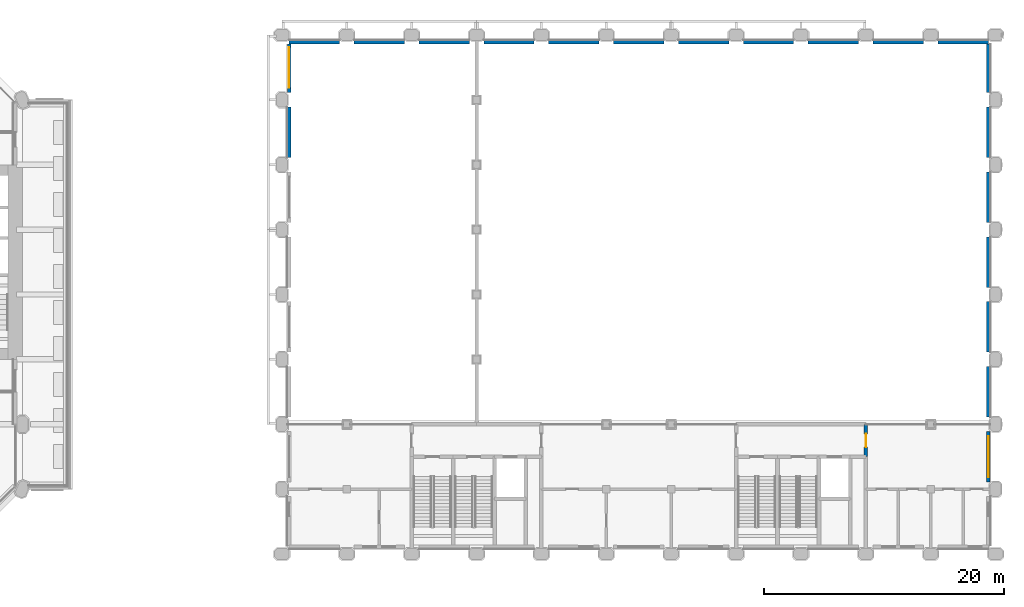
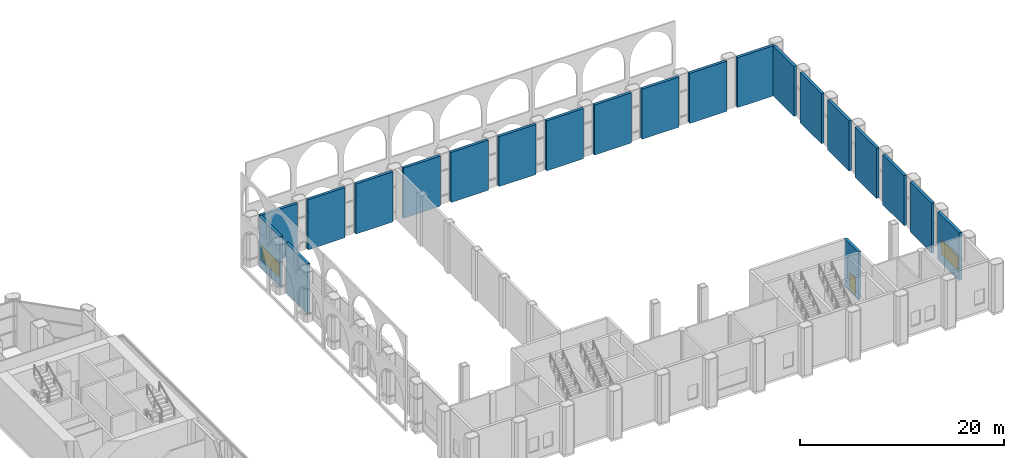
# One storey, part 17 of 34: 21 walls, 2 windows, 1 door, 3 openings.
"""IFC4 building model written with IfcOpenShell, lengths in metres."""

import ifcopenshell
import ifcopenshell.guid

model = None  # the IFC model being written
_history = None  # IfcOwnerHistory: only IFC2X3 demands one
_inside = {}  # id of a spatial element -> (the spatial element, [elements in it])
_under = {}  # id of a project, library or spatial element -> (it, [spatial elements below it])
_declared = {}  # id of a project -> (the project, [libraries it declares])
_typed = {}  # id of a type object -> (the type object, [elements of that type])
_made_of = {}  # id of a material, layer set ... -> (it, [elements and type objects made of it])


def new_model(schema):
    """Start an empty IFC model of exactly this schema.

    Asked for "IFC4X3", IfcOpenShell would pick the latest addendum, in which some entities
    have other attributes; the version numbers below select the first issue.
    IFC2X3 requires an IfcOwnerHistory on every rooted entity: one is made here for all.
    """
    global model, _history
    if schema == "IFC4X3":
        model = ifcopenshell.file(schema_version=(4, 3, 0, 0))
    else:
        model = ifcopenshell.file(schema=schema)
    _inside.clear()
    _under.clear()
    _declared.clear()
    _typed.clear()
    _made_of.clear()
    _history = None
    if model.schema == "IFC2X3":
        org = make("IfcOrganization", Name="unknown")
        user = make(
            "IfcPersonAndOrganization",
            ThePerson=make("IfcPerson", FamilyName="unknown"),
            TheOrganization=org,
        )
        app = make(
            "IfcApplication",
            ApplicationDeveloper=org,
            Version="unknown",
            ApplicationFullName="unknown",
            ApplicationIdentifier="unknown",
        )
        _history = make(
            "IfcOwnerHistory",
            OwningUser=user,
            OwningApplication=app,
            ChangeAction="ADDED",
            CreationDate=0,
        )
    return model


def make(cls, **values):
    """One entity of the class cls with the attributes given. An attribute that is None is left unset."""
    return model.create_entity(
        cls, **{name: value for name, value in values.items() if value is not None}
    )


def rooted(cls, **values):
    """An entity with a GlobalId (a new one), such as an element, a storey or a relation."""
    return make(cls, GlobalId=ifcopenshell.guid.new(), OwnerHistory=_history, **values)


def si_unit(unit_type, name, prefix=None):
    """IfcSIUnit, for example si_unit("LENGTHUNIT", "METRE", prefix="MILLI")."""
    return make("IfcSIUnit", UnitType=unit_type, Prefix=prefix, Name=name)


def assignment(units):
    """IfcUnitAssignment: the units of a project."""
    return None if units is None else make("IfcUnitAssignment", Units=units)


def point(xyz):
    """IfcCartesianPoint."""
    return None if xyz is None else make("IfcCartesianPoint", Coordinates=xyz)


def direction(xyz):
    """IfcDirection."""
    return None if xyz is None else make("IfcDirection", DirectionRatios=xyz)


def frame(location, z_axis=None, x_axis=None):
    """IfcAxis2Placement3D, a coordinate frame: its origin and axes. An axis left out is left unset."""
    return make(
        "IfcAxis2Placement3D",
        Location=point(location),
        Axis=direction(z_axis),
        RefDirection=direction(x_axis),
    )


def frame_2d(location, x_axis=None):
    """IfcAxis2Placement2D, a coordinate frame in the plane: its origin and x axis."""
    return make(
        "IfcAxis2Placement2D", Location=point(location), RefDirection=direction(x_axis)
    )


def origin():
    """The frame at (0, 0, 0) with its axes left unset."""
    return frame((0.0, 0.0, 0.0))


def place(relative_to, where):
    """IfcLocalPlacement: puts the frame where relative to a parent placement (None: the world)."""
    return make(
        "IfcLocalPlacement", PlacementRelTo=relative_to, RelativePlacement=where
    )


def context(
    kind, dimensions, precision=None, world=None, true_north=None, identifier=None
):
    """IfcGeometricRepresentationContext, for example the 3D "Model" context."""
    return make(
        "IfcGeometricRepresentationContext",
        ContextIdentifier=identifier,
        ContextType=kind,
        CoordinateSpaceDimension=dimensions,
        Precision=precision,
        WorldCoordinateSystem=world,
        TrueNorth=true_north,
    )


def subcontext(parent, identifier, kind, view, scale=None):
    """IfcGeometricRepresentationSubContext, for example "Body" below "Model"."""
    return make(
        "IfcGeometricRepresentationSubContext",
        ContextIdentifier=identifier,
        ContextType=kind,
        ParentContext=parent,
        TargetScale=scale,
        TargetView=view,
    )


def project(units=None, contexts=None):
    """IfcProject with its units and contexts."""
    return rooted(
        "IfcProject",
        Name="project",
        RepresentationContexts=contexts,
        UnitsInContext=assignment(units),
    )


def spatial(cls, under=None, at=None, **own):
    """A site, building, storey or space (cls), placed at a placement, below another one or the project."""
    s = rooted(cls, ObjectPlacement=at, **own)
    if under is not None:
        _under.setdefault(under.id(), (under, []))[1].append(s)
    return s


def profile(cls, at=None, kind="AREA", **sizes):
    """A parametric profile (cls). Its sizes go by their IFC names, for example OverallWidth=200.0."""
    return make(cls, ProfileType=kind, Position=at, **sizes)


def rectangle(**sizes):
    """IfcRectangleProfileDef."""
    return profile("IfcRectangleProfileDef", **sizes)


def extrude(swept, where, along, depth):
    """IfcExtrudedAreaSolid: the profile swept, set in the frame where, extruded along a direction by depth."""
    return make(
        "IfcExtrudedAreaSolid",
        SweptArea=swept,
        Position=where,
        ExtrudedDirection=direction(along),
        Depth=depth,
    )


def shape(context_of_items, identifier, shape_type, items):
    """IfcShapeRepresentation: the items that make up one representation, for example the "Body"."""
    return make(
        "IfcShapeRepresentation",
        ContextOfItems=context_of_items,
        RepresentationIdentifier=identifier,
        RepresentationType=shape_type,
        Items=items,
    )


def material(Name=None, Category=None):
    """IfcMaterial."""
    return make("IfcMaterial", Name=Name, Category=Category)


def layer(
    of_material, thickness, ventilated=None, Name=None, Category=None, Priority=None
):
    """IfcMaterialLayer: one layer of a wall or slab, of a material (None: an air gap)."""
    return make(
        "IfcMaterialLayer",
        Material=of_material,
        LayerThickness=thickness,
        IsVentilated=ventilated,
        Name=Name,
        Category=Category,
        Priority=Priority,
    )


def layer_set(layers, Name=None):
    """IfcMaterialLayerSet."""
    return make("IfcMaterialLayerSet", MaterialLayers=layers, LayerSetName=Name)


def made_of(thing, what):
    """Note that an element or type object is made of a material, layer set ...; save() writes the relation."""
    if what is not None:
        _made_of.setdefault(what.id(), (what, []))[1].append(thing)
    return thing


def type_object(cls, material=None, **own):
    """A type object (cls), such as IfcWallType, which elements share."""
    return made_of(rooted(cls, **own), material)


def element(
    cls,
    number,
    at=None,
    inside=None,
    cuts=None,
    type_object=None,
    material=None,
    context=None,
    identifier="Body",
    shape_type=None,
    held_by="IfcProductDefinitionShape",
    body=None,
    shapes=None,
    **own,
):
    """One element of the class cls, such as IfcWall. Its Tag is "e" and its number.

    at: its placement. inside: the storey or other place that contains it. cuts: it is an
    opening in that element (IfcRelVoidsElement). A single representation is given by context,
    identifier, shape_type and body (its items); several are given by shapes. held_by: the class
    of the entity that holds the representations. save() writes the other relations.
    """
    e = rooted(cls, Tag="e%d" % number, ObjectPlacement=at, **own)
    if body is not None:
        shapes = [shape(context, identifier, shape_type, body)]
    if shapes is not None:
        e.Representation = make(held_by, Representations=shapes)
    if inside is not None:
        _inside.setdefault(inside.id(), (inside, []))[1].append(e)
    if cuts is not None:
        rooted(
            "IfcRelVoidsElement", RelatingBuildingElement=cuts, RelatedOpeningElement=e
        )
    if type_object is not None:
        _typed.setdefault(type_object.id(), (type_object, []))[1].append(e)
    return made_of(e, material)


def fill(opening, filler):
    """IfcRelFillsElement: the door or window that sits in an opening."""
    return rooted(
        "IfcRelFillsElement",
        RelatingOpeningElement=opening,
        RelatedBuildingElement=filler,
    )


def aggregate(whole, parts):
    """IfcRelAggregates: a whole, such as a stair, and the parts it consists of."""
    return rooted("IfcRelAggregates", RelatingObject=whole, RelatedObjects=parts)


def save(model, path):
    """Write the relations noted so far, then the file.

    IfcRelAggregates (storeys below a building ...), IfcRelContainedInSpatialStructure (elements
    in a storey), IfcRelDefinesByType, IfcRelAssociatesMaterial and IfcRelDeclares: one each for
    every whole, place, type object, material and project.
    """
    for whole, parts in _under.values():
        aggregate(whole, parts)
    for where, things in _inside.values():
        rooted(
            "IfcRelContainedInSpatialStructure",
            RelatedElements=things,
            RelatingStructure=where,
        )
    for kind, things in _typed.values():
        rooted("IfcRelDefinesByType", RelatedObjects=things, RelatingType=kind)
    for what, things in _made_of.values():
        rooted("IfcRelAssociatesMaterial", RelatedObjects=things, RelatingMaterial=what)
    for by, libraries in _declared.values():
        rooted("IfcRelDeclares", RelatingContext=by, RelatedDefinitions=libraries)
    model.write(path)


model = new_model("IFC4")

# Units and contexts
model_context = context("Model", 3, precision=1e-05, world=origin(), true_north=direction((0.0, 1.0)))
body_context = subcontext(model_context, "Body", "Model", "MODEL_VIEW")
ifc_project = project(units=[si_unit("LENGTHUNIT", "METRE"), si_unit("AREAUNIT", "SQUARE_METRE"), si_unit("VOLUMEUNIT", "CUBIC_METRE"), si_unit("PLANEANGLEUNIT", "RADIAN"), si_unit("MASSUNIT", "GRAM", prefix="KILO")], contexts=[model_context])

# Site, building, storey
site_placement = place(None, origin())
site = spatial("IfcSite", under=ifc_project, at=site_placement, CompositionType="ELEMENT")
building_placement = place(site_placement, origin())
building = spatial("IfcBuilding", under=site, at=building_placement, Name="Tabaq Tower and Sports Hall", CompositionType="ELEMENT")
storey_placement = place(building_placement, frame((0.0, 0.0, 8.39990234375)))
storey = spatial("IfcBuildingStorey", under=building, at=storey_placement, Name="L01", CompositionType="ELEMENT", Elevation=8.39990234375)

# Wall, opening, door
ifc_material_1 = material(Name="Concrete C50/60", Category="concrete")
ifc_layer_1 = layer(ifc_material_1, 0.300048828125)
ifc_layer_set_1 = layer_set([ifc_layer_1], Name="HALL CORE WALL RC 300 C50/60")
wall_type_1 = type_object("IfcWallType", Name="HALL CORE WALL RC 300 C50/60", PredefinedType="SHEAR", material=ifc_layer_set_1)
wall_1_placement = place(storey_placement, frame((113.39990234375, 8.10009765625, 0.0), z_axis=(0.0, 0.0, 1.0), x_axis=(0.0, 1.0, 0.0)))
wall_1 = element("IfcWall", 1, at=wall_1_placement, inside=storey, type_object=wall_type_1, Name="L01 core wall 018", PredefinedType="SHEAR", context=body_context, shape_type="SweptSolid", body=[
    extrude(rectangle(XDim=2.699951171875, YDim=0.300048828125, at=frame_2d((1.35009765625, 0.0))), origin(), (0.0, 0.0, 1.0), 5.7001953125),
])
opening_1_placement = place(wall_1_placement, frame((0.800048828125, 0.0, 0.0)))
opening_1 = element("IfcOpeningElement", 2, at=opening_1_placement, cuts=wall_1, Name="Opening HD041", PredefinedType="OPENING", context=body_context, shape_type="SweptSolid", body=[
    extrude(rectangle(XDim=1.10009765625, YDim=2.10009765625, at=frame_2d((0.550048828125, 1.050048828125))), frame((0.0, 0.14990234375, 0.0), z_axis=(0.0, -1.0, 0.0), x_axis=(1.0, 0.0, 0.0)), (0.0, 0.0, 1.0), 0.300048828125),
])
ifc_material_2 = material(Name="Steel fire door leaf in steel frame", Category="steel")
door_type = type_object("IfcDoorType", Name="HALL FIRE DOOR 1100x2100", OperationType="SINGLE_SWING_LEFT", PredefinedType="DOOR", material=ifc_material_2)
door_placement = place(opening_1_placement, origin())
door = element("IfcDoor", 3, at=door_placement, inside=storey, type_object=door_type, Name="Door HD041", OperationType="SINGLE_SWING_LEFT", OverallHeight=2.10009765625, OverallWidth=1.10009765625, PredefinedType="DOOR", context=body_context, shape_type="SweptSolid", body=[
    extrude(rectangle(XDim=1.10009765625, YDim=2.10009765625, at=frame_2d((0.550048828125, 1.050048828125))), frame((0.0, 0.02490234375, 0.0), z_axis=(0.0, -1.0, 0.0), x_axis=(1.0, 0.0, 0.0)), (0.0, 0.0, 1.0), 0.050048828125),
])
fill(opening_1, door)

# Walls
ifc_material_3 = material(Name="White precast concrete C60/75", Category="concrete")
ifc_layer_2 = layer(ifc_material_3, 0.300048828125)
ifc_layer_set_2 = layer_set([ifc_layer_2], Name="White precast concrete C60/75 external wall 300")
wall_type_2 = type_object("IfcWallType", Name="White precast concrete C60/75 external wall 300", PredefinedType="SOLIDWALL", material=ifc_layer_set_2)
wall_2_placement = place(storey_placement, frame((65.39990234375, 42.60009765625, 0.0), z_axis=(0.0, 0.0, 1.0), x_axis=(1.0, 0.0, 0.0)))
element("IfcWall", 4, at=wall_2_placement, inside=storey, type_object=wall_type_2, Name="L01 N facade panel", PredefinedType="SOLIDWALL", context=body_context, shape_type="SweptSolid", body=[
    extrude(rectangle(XDim=4.2001953125, YDim=0.300048828125, at=frame_2d((2.10009765625, 0.0))), origin(), (0.0, 0.0, 1.0), 6.0),
])
for number, where, z_axis, x_axis, name in (
    (5, (70.800048828125, 42.60009765625, 0.0), (0.0, 0.0, 1.0), (1.0, 0.0, 0.0), "L01 N facade panel"),
    (6, (76.199951171875, 42.60009765625, 0.0), (0.0, 0.0, 1.0), (1.0, 0.0, 0.0), "L01 N facade panel"),
    (7, (81.60009765625, 42.60009765625, 0.0), (0.0, 0.0, 1.0), (1.0, 0.0, 0.0), "L01 N facade panel"),
    (8, (87.0, 42.60009765625, 0.0), (0.0, 0.0, 1.0), (1.0, 0.0, 0.0), "L01 N facade panel"),
):
    element("IfcWall", number, at=place(storey_placement, frame(where, z_axis=z_axis, x_axis=x_axis)), inside=storey, type_object=wall_type_2, Name=name, PredefinedType="SOLIDWALL", context=body_context, shape_type="SweptSolid", body=[
        extrude(rectangle(XDim=4.199951171875, YDim=0.300048828125, at=frame_2d((2.10009765625, 0.0))), origin(), (0.0, 0.0, 1.0), 6.0),
    ])
wall_3_placement = place(storey_placement, frame((92.39990234375, 42.60009765625, 0.0), z_axis=(0.0, 0.0, 1.0), x_axis=(1.0, 0.0, 0.0)))
element("IfcWall", 9, at=wall_3_placement, inside=storey, type_object=wall_type_2, Name="L01 N facade panel", PredefinedType="SOLIDWALL", context=body_context, shape_type="SweptSolid", body=[
    extrude(rectangle(XDim=4.2001953125, YDim=0.300048828125, at=frame_2d((2.10009765625, 0.0))), origin(), (0.0, 0.0, 1.0), 6.0),
])
for number, where, z_axis, x_axis, name in (
    (10, (97.800048828125, 42.60009765625, 0.0), (0.0, 0.0, 1.0), (1.0, 0.0, 0.0), "L01 N facade panel"),
    (11, (103.199951171875, 42.60009765625, 0.0), (0.0, 0.0, 1.0), (1.0, 0.0, 0.0), "L01 N facade panel"),
    (12, (108.60009765625, 42.60009765625, 0.0), (0.0, 0.0, 1.0), (1.0, 0.0, 0.0), "L01 N facade panel"),
    (13, (114.0, 42.60009765625, 0.0), (0.0, 0.0, 1.0), (1.0, 0.0, 0.0), "L01 N facade panel"),
):
    element("IfcWall", number, at=place(storey_placement, frame(where, z_axis=z_axis, x_axis=x_axis)), inside=storey, type_object=wall_type_2, Name=name, PredefinedType="SOLIDWALL", context=body_context, shape_type="SweptSolid", body=[
        extrude(rectangle(XDim=4.199951171875, YDim=0.300048828125, at=frame_2d((2.10009765625, 0.0))), origin(), (0.0, 0.0, 1.0), 6.0),
    ])
wall_4_placement = place(storey_placement, frame((119.39990234375, 42.60009765625, 0.0), z_axis=(0.0, 0.0, 1.0), x_axis=(1.0, 0.0, 0.0)))
element("IfcWall", 14, at=wall_4_placement, inside=storey, type_object=wall_type_2, Name="L01 N facade panel", PredefinedType="SOLIDWALL", context=body_context, shape_type="SweptSolid", body=[
    extrude(rectangle(XDim=4.2001953125, YDim=0.300048828125, at=frame_2d((2.10009765625, 0.0))), origin(), (0.0, 0.0, 1.0), 6.0),
])
wall_5_placement = place(storey_placement, frame((65.39990234375, 33.0, 0.0), z_axis=(0.0, 0.0, 1.0), x_axis=(0.0, 1.0, 0.0)))
element("IfcWall", 15, at=wall_5_placement, inside=storey, type_object=wall_type_2, Name="L01 W facade panel", PredefinedType="SOLIDWALL", context=body_context, shape_type="SweptSolid", body=[
    extrude(rectangle(XDim=4.199951171875, YDim=0.300048828125, at=frame_2d((2.10009765625, 0.0))), origin(), (0.0, 0.0, 1.0), 6.0),
])

# Wall, opening, window
wall_6_placement = place(storey_placement, frame((65.39990234375, 38.39990234375, 0.0), z_axis=(0.0, 0.0, 1.0), x_axis=(0.0, 1.0, 0.0)))
wall_6 = element("IfcWall", 16, at=wall_6_placement, inside=storey, type_object=wall_type_2, Name="L01 W facade panel", PredefinedType="SOLIDWALL", context=body_context, shape_type="SweptSolid", body=[
    extrude(rectangle(XDim=4.050048828125, YDim=0.300048828125, at=frame_2d((2.02490234375, 0.0))), origin(), (0.0, 0.0, 1.0), 6.0),
])
opening_2_placement = place(wall_6_placement, frame((0.39990234375, 0.0, 0.89990234375)))
opening_2 = element("IfcOpeningElement", 17, at=opening_2_placement, cuts=wall_6, Name="Opening HW037", PredefinedType="OPENING", context=body_context, shape_type="SweptSolid", body=[
    extrude(rectangle(XDim=3.39990234375, YDim=1.699951171875, at=frame_2d((1.699951171875, 0.85009765625))), frame((0.0, 0.14990234375, 0.0), z_axis=(0.0, -1.0, 0.0), x_axis=(1.0, 0.0, 0.0)), (0.0, 0.0, 1.0), 0.300048828125),
])
ifc_material_4 = material(Name="Aluminium framed clear glazing", Category="aluminium")
window_type = type_object("IfcWindowType", Name="Window W1A", PartitioningType="SINGLE_PANEL", PredefinedType="WINDOW", material=ifc_material_4)
window_1_placement = place(opening_2_placement, origin())
window_1 = element("IfcWindow", 18, at=window_1_placement, inside=storey, type_object=window_type, Name="Window HW037", OverallHeight=1.699951171875, OverallWidth=3.39990234375, PartitioningType="SINGLE_PANEL", PredefinedType="WINDOW", context=body_context, shape_type="SweptSolid", body=[
    extrude(rectangle(XDim=3.39990234375, YDim=1.699951171875, at=frame_2d((1.699951171875, 0.85009765625))), frame((0.0, 0.030029296875, 0.0), z_axis=(0.0, -1.0, 0.0), x_axis=(1.0, 0.0, 0.0)), (0.0, 0.0, 1.0), 0.06005859375),
])
fill(opening_2, window_1)

wall_7_placement = place(storey_placement, frame((123.60009765625, 6.0, 0.0), z_axis=(0.0, 0.0, 1.0), x_axis=(0.0, 1.0, 0.0)))
wall_7 = element("IfcWall", 19, at=wall_7_placement, inside=storey, type_object=wall_type_2, Name="L01 E facade panel", PredefinedType="SOLIDWALL", context=body_context, shape_type="SweptSolid", body=[
    extrude(rectangle(XDim=4.199951171875, YDim=0.300048828125, at=frame_2d((2.10009765625, 0.0))), origin(), (0.0, 0.0, 1.0), 5.7001953125),
])
opening_3_placement = place(wall_7_placement, frame((0.39990234375, 0.0, 0.89990234375)))
opening_3 = element("IfcOpeningElement", 20, at=opening_3_placement, cuts=wall_7, Name="Opening HW041", PredefinedType="OPENING", context=body_context, shape_type="SweptSolid", body=[
    extrude(rectangle(XDim=3.39990234375, YDim=1.699951171875, at=frame_2d((1.699951171875, 0.85009765625))), frame((0.0, 0.14990234375, 0.0), z_axis=(0.0, -1.0, 0.0), x_axis=(1.0, 0.0, 0.0)), (0.0, 0.0, 1.0), 0.300048828125),
])
window_2_placement = place(opening_3_placement, origin())
window_2 = element("IfcWindow", 21, at=window_2_placement, inside=storey, type_object=window_type, Name="Window HW041", OverallHeight=1.699951171875, OverallWidth=3.39990234375, PartitioningType="SINGLE_PANEL", PredefinedType="WINDOW", context=body_context, shape_type="SweptSolid", body=[
    extrude(rectangle(XDim=3.39990234375, YDim=1.699951171875, at=frame_2d((1.699951171875, 0.85009765625))), frame((0.0, 0.030029296875, 0.0), z_axis=(0.0, -1.0, 0.0), x_axis=(1.0, 0.0, 0.0)), (0.0, 0.0, 1.0), 0.06005859375),
])
fill(opening_3, window_2)

# Walls
wall_8_placement = place(storey_placement, frame((123.60009765625, 11.39990234375, 0.0), z_axis=(0.0, 0.0, 1.0), x_axis=(0.0, 1.0, 0.0)))
element("IfcWall", 22, at=wall_8_placement, inside=storey, type_object=wall_type_2, Name="L01 E facade panel", PredefinedType="SOLIDWALL", context=body_context, shape_type="SweptSolid", body=[
    extrude(rectangle(XDim=4.2001953125, YDim=0.300048828125, at=frame_2d((2.10009765625, 0.0))), origin(), (0.0, 0.0, 1.0), 6.0),
])
for number, where, z_axis, x_axis, name in (
    (23, (123.60009765625, 16.800048828125, 0.0), (0.0, 0.0, 1.0), (0.0, 1.0, 0.0), "L01 E facade panel"),
    (24, (123.60009765625, 22.199951171875, 0.0), (0.0, 0.0, 1.0), (0.0, 1.0, 0.0), "L01 E facade panel"),
    (25, (123.60009765625, 27.60009765625, 0.0), (0.0, 0.0, 1.0), (0.0, 1.0, 0.0), "L01 E facade panel"),
    (26, (123.60009765625, 33.0, 0.0), (0.0, 0.0, 1.0), (0.0, 1.0, 0.0), "L01 E facade panel"),
):
    element("IfcWall", number, at=place(storey_placement, frame(where, z_axis=z_axis, x_axis=x_axis)), inside=storey, type_object=wall_type_2, Name=name, PredefinedType="SOLIDWALL", context=body_context, shape_type="SweptSolid", body=[
        extrude(rectangle(XDim=4.199951171875, YDim=0.300048828125, at=frame_2d((2.10009765625, 0.0))), origin(), (0.0, 0.0, 1.0), 6.0),
    ])
wall_9_placement = place(storey_placement, frame((123.60009765625, 38.39990234375, 0.0), z_axis=(0.0, 0.0, 1.0), x_axis=(0.0, 1.0, 0.0)))
element("IfcWall", 27, at=wall_9_placement, inside=storey, type_object=wall_type_2, Name="L01 E facade panel", PredefinedType="SOLIDWALL", context=body_context, shape_type="SweptSolid", body=[
    extrude(rectangle(XDim=4.050048828125, YDim=0.300048828125, at=frame_2d((2.02490234375, 0.0))), origin(), (0.0, 0.0, 1.0), 6.0),
])

save(model, "model.ifc")
